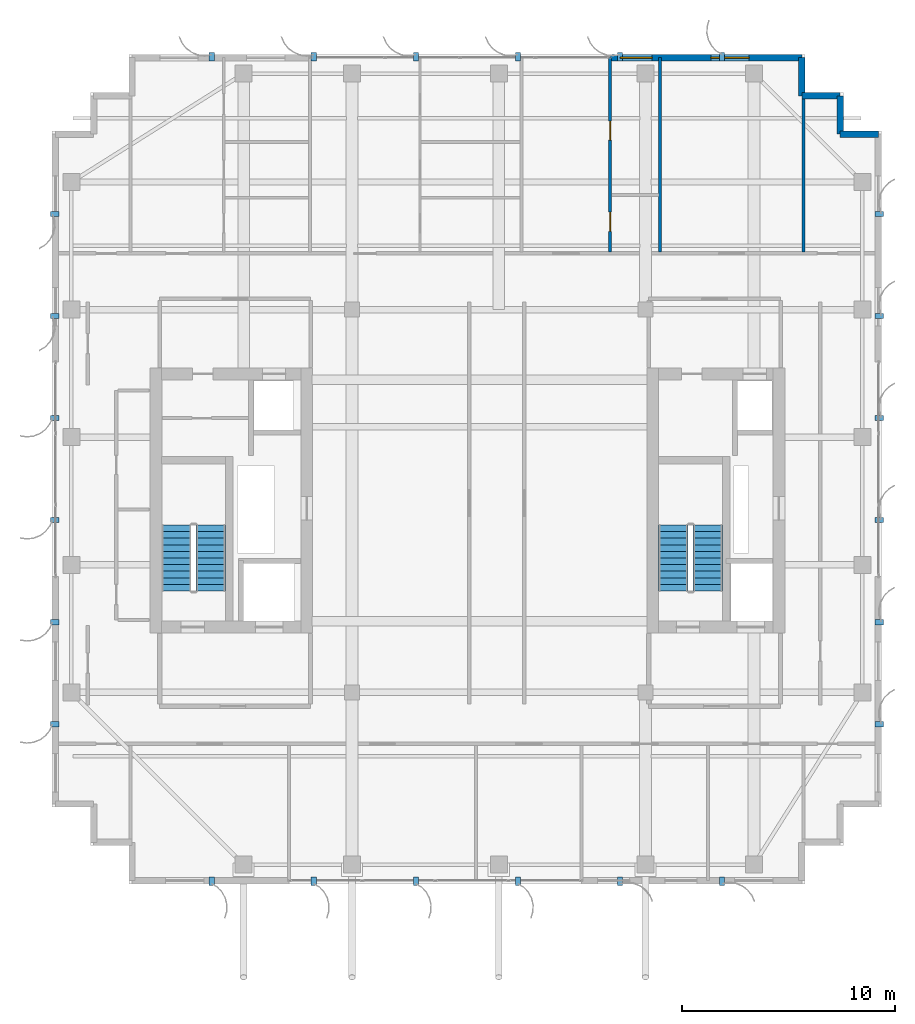
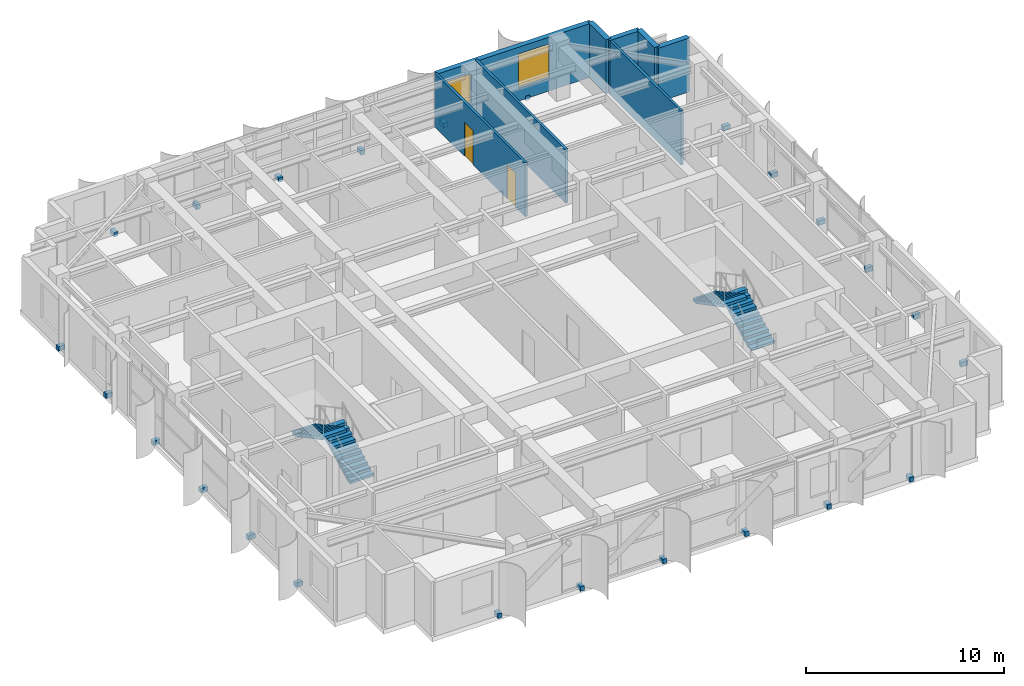
# One storey, part 20 of 22: 24 discrete accessories, 8 walls, 4 stair flights, 2 doors, 2 windows, 4 openings, 2 elements without a shape of their own.
"""IFC4 building model written with IfcOpenShell, lengths in metres."""

from ifc_helpers import new_model, si_unit, direction, frame, frame_2d, origin, origin_2d, place, context, subcontext, project, spatial, polyline, rectangle, outline, extrude, source, transform, mapped, material, layer, layer_set, type_object, element, fill, aggregate, save


model = new_model("IFC4")

# Units and contexts
model_context = context("Model", 3, precision=1e-05, world=origin(), true_north=direction((0.0, 1.0)))
body_context = subcontext(model_context, "Body", "Model", "MODEL_VIEW")
ifc_project = project(units=[si_unit("LENGTHUNIT", "METRE"), si_unit("AREAUNIT", "SQUARE_METRE"), si_unit("VOLUMEUNIT", "CUBIC_METRE"), si_unit("PLANEANGLEUNIT", "RADIAN"), si_unit("MASSUNIT", "GRAM", prefix="KILO")], contexts=[model_context])

# Site, building, storey
site_placement = place(None, origin())
site = spatial("IfcSite", under=ifc_project, at=site_placement, CompositionType="ELEMENT")
building_placement = place(site_placement, origin())
building = spatial("IfcBuilding", under=site, at=building_placement, Name="Khoralis Quay Care Tower", CompositionType="ELEMENT")
storey_placement = place(building_placement, frame((0.0, 0.0, 278.10009765625)))
storey = spatial("IfcBuildingStorey", under=building, at=storey_placement, Name="L73", CompositionType="ELEMENT", Elevation=278.10009765625)

# Walls
ifc_material_1 = material(Name="Precast concrete C45/55", Category="concrete")
ifc_layer_1 = layer(ifc_material_1, 0.300048828125)
ifc_layer_set_1 = layer_set([ifc_layer_1], Name="Precast concrete C45/55")
wall_type_1 = type_object("IfcWallType", Name="WL-EXT-REF-300", PredefinedType="SOLIDWALL", material=ifc_layer_set_1)
for number, where, z_axis, x_axis, name in (
    (1, (41.85009765625, 38.25, 0.0), (0.0, 0.0, 1.0), (-1.0, 0.0, 0.0), "L73 External Facade Wall WL-EXT-L73-P1-C6"),
    (2, (40.050048828125, 38.25, 0.0), (0.0, 0.0, 1.0), (0.0, 1.0, 0.0), "L73 External Facade Wall WL-EXT-L73-P1-C7"),
    (3, (40.050048828125, 40.050048828125, 0.0), (0.0, 0.0, 1.0), (-1.0, 0.0, 0.0), "L73 External Facade Wall WL-EXT-L73-P1-C8"),
    (4, (38.25, 40.050048828125, 0.0), (0.0, 0.0, 1.0), (0.0, 1.0, 0.0), "L73 External Facade Wall WL-EXT-L73-P1-C9"),
):
    element("IfcWall", number, at=place(storey_placement, frame(where, z_axis=z_axis, x_axis=x_axis)), inside=storey, type_object=wall_type_1, Name=name, PredefinedType="SOLIDWALL", context=body_context, shape_type="SweptSolid", body=[
        extrude(rectangle(XDim=1.800048828125, YDim=0.300048828125, at=frame_2d((0.89990234375, 0.0))), origin(), (0.0, 0.0, 1.0), 3.31982421875),
    ])

# Wall, openings, windows
wall_1_placement = place(storey_placement, frame((38.25, 41.85009765625, 0.0), z_axis=(0.0, 0.0, 1.0), x_axis=(-1.0, 0.0, 0.0)))
wall_1 = element("IfcWall", 5, at=wall_1_placement, inside=storey, type_object=wall_type_1, Name="L73 External Facade Wall WL-EXT-L73-P1-E10A", PredefinedType="SOLIDWALL", context=body_context, shape_type="SweptSolid", body=[
    extrude(rectangle(XDim=9.010009765625, YDim=0.300048828125, at=frame_2d((4.5048828125, 0.0))), origin(), (0.0, 0.0, 1.0), 3.31982421875),
])
opening_1_placement = place(wall_1_placement, frame((2.47998046875, 0.0, 0.800048828125)))
opening_1 = element("IfcOpeningElement", 6, at=opening_1_placement, cuts=wall_1, Name="Opening W2", PredefinedType="OPENING", context=body_context, shape_type="SweptSolid", body=[
    extrude(rectangle(XDim=1.800048828125, YDim=2.10009765625, at=frame_2d((0.89990234375, 1.050048828125))), frame((0.0, 0.16015625, 0.0), z_axis=(0.0, -1.0, 0.0), x_axis=(1.0, 0.0, 0.0)), (0.0, 0.0, 1.0), 0.320068359375),
])
opening_2_placement = place(wall_1_placement, frame((7.034912109375, 0.0, 0.85009765625)))
opening_2 = element("IfcOpeningElement", 7, at=opening_2_placement, cuts=wall_1, Name="Opening W3", PredefinedType="OPENING", context=body_context, shape_type="SweptSolid", body=[
    extrude(rectangle(XDim=1.5, YDim=1.800048828125, at=frame_2d((0.75, 0.89990234375))), frame((0.0, 0.16015625, 0.0), z_axis=(0.0, -1.0, 0.0), x_axis=(1.0, 0.0, 0.0)), (0.0, 0.0, 1.0), 0.320068359375),
])
ifc_material_2 = material(Name="Low-E solar-control double glazing", Category="glass")
window_type_1 = type_object("IfcWindowType", Name="WN-CLIN-1500X1800", PartitioningType="SINGLE_PANEL", PredefinedType="WINDOW", material=ifc_material_2)
shared_shape_1 = source(origin(), body_context, "Body", "SweptSolid", [
    extrude(rectangle(XDim=1.5, YDim=1.800048828125, at=frame_2d((0.75, 0.89990234375))), frame((0.0, 0.030029296875, 0.0), z_axis=(0.0, -1.0, 0.0), x_axis=(1.0, 0.0, 0.0)), (0.0, 0.0, 1.0), 0.06005859375),
])
window_1_placement = place(opening_2_placement, origin())
window_1 = element("IfcWindow", 8, at=window_1_placement, inside=storey, type_object=window_type_1, Name="WN-L73-P1-E10A Facade Window 02", OverallHeight=1.800048828125, OverallWidth=1.5, PartitioningType="SINGLE_PANEL", PredefinedType="WINDOW", context=body_context, shape_type="MappedRepresentation", body=[
    mapped(shared_shape_1, transform((0.0, 0.0, 0.0), scale=1.0)),
])
fill(opening_2, window_1)
window_type_2 = type_object("IfcWindowType", Name="WN-POD-1800X2100", PartitioningType="SINGLE_PANEL", PredefinedType="WINDOW", material=ifc_material_2)
shared_shape_2 = source(origin(), body_context, "Body", "SweptSolid", [
    extrude(rectangle(XDim=1.800048828125, YDim=2.10009765625, at=frame_2d((0.89990234375, 1.050048828125))), frame((0.0, 0.030029296875, 0.0), z_axis=(0.0, -1.0, 0.0), x_axis=(1.0, 0.0, 0.0)), (0.0, 0.0, 1.0), 0.06005859375),
])
window_2_placement = place(opening_1_placement, origin())
window_2 = element("IfcWindow", 9, at=window_2_placement, inside=storey, type_object=window_type_2, Name="WN-L73-P1-E10A Facade Window 01", OverallHeight=2.10009765625, OverallWidth=1.800048828125, PartitioningType="SINGLE_PANEL", PredefinedType="WINDOW", context=body_context, shape_type="MappedRepresentation", body=[
    mapped(shared_shape_2, transform((0.0, 0.0, 0.0), scale=1.0)),
])
fill(opening_1, window_2)

# Wall, openings, doors
ifc_material_3 = material(Name="Moisture-resistant gypsum and ceramic tile")
ifc_layer_2 = layer(ifc_material_3, 0.280029296875)
ifc_layer_set_2 = layer_set([ifc_layer_2], Name="Moisture-resistant gypsum and ceramic tile")
wall_type_2 = type_object("IfcWallType", Name="WL-PLUMB-280", PredefinedType="PLUMBINGWALL", material=ifc_layer_set_2)
wall_2_placement = place(storey_placement, frame((29.239990234375, 32.717529296875, 0.0), z_axis=(0.0, 0.0, 1.0), x_axis=(0.0, 1.0, 0.0)))
wall_2 = element("IfcWall", 10, at=wall_2_placement, inside=storey, type_object=wall_type_2, Name="L73 Care Suite 2 En-Suite Wall V", PredefinedType="PLUMBINGWALL", context=body_context, shape_type="SweptSolid", body=[
    extrude(rectangle(XDim=9.137451171875, YDim=0.139892578125, at=frame_2d((4.56884765625, 0.0))), origin(), (0.0, 0.0, 1.0), 3.31982421875),
])
opening_3_placement = place(wall_2_placement, frame((0.96240234375, 0.0, 0.0)))
opening_3 = element("IfcOpeningElement", 11, at=opening_3_placement, cuts=wall_2, Name="Opening WD1", PredefinedType="OPENING", context=body_context, shape_type="SweptSolid", body=[
    extrude(rectangle(XDim=0.89990234375, YDim=2.10009765625, at=frame_2d((0.449951171875, 1.050048828125))), frame((0.0, 0.080078125, 0.0), z_axis=(0.0, -1.0, 0.0), x_axis=(1.0, 0.0, 0.0)), (0.0, 0.0, 1.0), 0.159912109375),
])
opening_4_placement = place(wall_2_placement, frame((5.25244140625, 0.0, 0.0)))
opening_4 = element("IfcOpeningElement", 12, at=opening_4_placement, cuts=wall_2, Name="Opening WD1", PredefinedType="OPENING", context=body_context, shape_type="SweptSolid", body=[
    extrude(rectangle(XDim=0.89990234375, YDim=2.10009765625, at=frame_2d((0.449951171875, 1.050048828125))), frame((0.0, 0.080078125, 0.0), z_axis=(0.0, -1.0, 0.0), x_axis=(1.0, 0.0, 0.0)), (0.0, 0.0, 1.0), 0.159912109375),
])
ifc_material_4 = material(Name="Acoustic hardwood timber", Category="wood")
door_type = type_object("IfcDoorType", Name="DR-BATH-900X2100", OperationType="NOTDEFINED", PredefinedType="DOOR", material=ifc_material_4)
shared_shape_3 = source(origin(), body_context, "Body", "SweptSolid", [
    extrude(rectangle(XDim=0.89990234375, YDim=2.10009765625, at=frame_2d((0.449951171875, 1.050048828125))), frame((0.0, 0.02490234375, 0.0), z_axis=(0.0, -1.0, 0.0), x_axis=(1.0, 0.0, 0.0)), (0.0, 0.0, 1.0), 0.050048828125),
])
door_1_placement = place(opening_3_placement, frame((0.89990234375, 0.0, 0.0), z_axis=(0.0, 0.0, 1.0), x_axis=(-1.0, 0.0, 0.0)))
door_1 = element("IfcDoor", 13, at=door_1_placement, inside=storey, type_object=door_type, Name="L73 Care CENS Door", OperationType="SINGLE_SWING_RIGHT", OverallHeight=2.10009765625, OverallWidth=0.89990234375, PredefinedType="DOOR", context=body_context, shape_type="MappedRepresentation", body=[
    mapped(shared_shape_3, transform((0.0, 0.0, 0.0), scale=1.0)),
])
fill(opening_3, door_1)
door_2_placement = place(opening_4_placement, frame((0.89990234375, 0.0, 0.0), z_axis=(0.0, 0.0, 1.0), x_axis=(-1.0, 0.0, 0.0)))
door_2 = element("IfcDoor", 14, at=door_2_placement, inside=storey, type_object=door_type, Name="L73 Care CSIT Door", OperationType="SINGLE_SWING_LEFT", OverallHeight=2.10009765625, OverallWidth=0.89990234375, PredefinedType="DOOR", context=body_context, shape_type="MappedRepresentation", body=[
    mapped(shared_shape_3, transform((0.0, 0.0, 0.0), scale=1.0)),
])
fill(opening_4, door_2)

# Walls
ifc_material_5 = material(Name="Gypsum plasterboard on acoustic metal stud")
ifc_layer_3 = layer(ifc_material_5, 0.139892578125)
ifc_layer_set_3 = layer_set([ifc_layer_3], Name="Gypsum plasterboard on acoustic metal stud")
wall_type_3 = type_object("IfcWallType", Name="WL-UNIT-140", PredefinedType="PARTITIONING", material=ifc_layer_set_3)
wall_3_placement = place(storey_placement, frame((31.590087890625, 32.717529296875, 0.0), z_axis=(0.0, 0.0, 1.0), x_axis=(0.0, 1.0, 0.0)))
element("IfcWall", 15, at=wall_3_placement, inside=storey, type_object=wall_type_3, Name="L73 NB Demising Wall 3", PredefinedType="PARTITIONING", context=body_context, shape_type="SweptSolid", body=[
    extrude(rectangle(XDim=9.137451171875, YDim=0.139892578125, at=frame_2d((4.56884765625, 0.0))), origin(), (0.0, 0.0, 1.0), 3.31982421875),
])
wall_4_placement = place(storey_placement, frame((38.320068359375, 32.717529296875, 0.0), z_axis=(0.0, 0.0, 1.0), x_axis=(0.0, 1.0, 0.0)))
element("IfcWall", 16, at=wall_4_placement, inside=storey, type_object=wall_type_3, Name="L73 NB Demising Wall 4", PredefinedType="PARTITIONING", context=body_context, shape_type="SweptSolid", body=[
    extrude(rectangle(XDim=7.33740234375, YDim=0.139892578125, at=frame_2d((3.668701171875, 0.0))), origin(), (0.0, 0.0, 1.0), 3.31982421875),
])

# Stair, stair flights
stair_type = type_object("IfcStairType", Name="ST-TWR-DOGLEG-1400", PredefinedType="HALF_TURN_STAIR", material=ifc_material_1)
stair_1_placement = place(storey_placement, origin())
stair_1 = element("IfcStair", 17, at=stair_1_placement, inside=storey, type_object=stair_type, Name="L73 West Core Exit Stair ST-T1", PredefinedType="HALF_TURN_STAIR")
stair_flight_type = type_object("IfcStairFlightType", Name="SF-TWR-1400", PredefinedType="STRAIGHT", material=ifc_material_1)
shared_shape_4 = source(origin(), body_context, "Body", "SweptSolid", [
    extrude(outline(polyline([(0.0, 0.0), (0.0, 0.16357421875), (0.31005859375, 0.16357421875), (0.31005859375, 0.327392578125), (0.6201171875, 0.327392578125), (0.6201171875, 0.490966796875), (0.929931640625, 0.490966796875), (0.929931640625, 0.654541015625), (1.239990234375, 0.654541015625), (1.239990234375, 0.818115234375), (1.550048828125, 0.818115234375), (1.550048828125, 0.98193359375), (1.860107421875, 0.98193359375), (1.860107421875, 1.1455078125), (2.169921875, 1.1455078125), (2.169921875, 1.30908203125), (2.47998046875, 1.30908203125), (2.47998046875, 1.47265625), (2.7900390625, 1.47265625), (2.7900390625, 1.636474609375), (3.10009765625, 1.636474609375), (3.10009765625, 1.800048828125), (3.10009765625, 1.466796875), (0.321044921875, 0.0), (0.0, 0.0)])), frame((0.0, 0.68994140625, 0.0), z_axis=(0.0, -1.0, 0.0), x_axis=(1.0, 0.0, 0.0)), (0.0, 0.0, 1.0), 1.3798828125),
])
stair_flight_1_placement = place(storey_placement, frame((10.4599609375, 16.77001953125, 0.0), z_axis=(0.0, 0.0, 1.0), x_axis=(0.0, 1.0, 0.0)))
stair_flight_1 = element("IfcStairFlight", 18, at=stair_flight_1_placement, type_object=stair_flight_type, Name="ST-T1 flight 1", NumberOfRisers=11, NumberOfTreads=10, PredefinedType="STRAIGHT", RiserHeight=0.163636364, TreadLength=0.31, context=body_context, shape_type="MappedRepresentation", body=[
    mapped(shared_shape_4, transform((0.0, 0.0, 0.0), scale=1.0)),
])
stair_flight_2_placement = place(storey_placement, frame((8.840087890625, 19.8701171875, 1.7998046875), z_axis=(0.0, 0.0, 1.0), x_axis=(0.0, -1.0, 0.0)))
stair_flight_2 = element("IfcStairFlight", 19, at=stair_flight_2_placement, type_object=stair_flight_type, Name="ST-T1 flight 2", NumberOfRisers=11, NumberOfTreads=10, PredefinedType="STRAIGHT", RiserHeight=0.163636364, TreadLength=0.31, context=body_context, shape_type="MappedRepresentation", body=[
    mapped(shared_shape_4, transform((0.0, 0.0, 0.0), scale=1.0)),
])
aggregate(stair_1, [stair_flight_1, stair_flight_2])

stair_2_placement = place(storey_placement, origin())
stair_2 = element("IfcStair", 20, at=stair_2_placement, inside=storey, type_object=stair_type, Name="L73 East Core Exit Stair ST-T2", PredefinedType="HALF_TURN_STAIR")
stair_flight_3_placement = place(storey_placement, frame((33.830078125, 16.77001953125, 0.0), z_axis=(0.0, 0.0, 1.0), x_axis=(0.0, 1.0, 0.0)))
stair_flight_3 = element("IfcStairFlight", 21, at=stair_flight_3_placement, type_object=stair_flight_type, Name="ST-T2 flight 1", NumberOfRisers=11, NumberOfTreads=10, PredefinedType="STRAIGHT", RiserHeight=0.163636364, TreadLength=0.31, context=body_context, shape_type="MappedRepresentation", body=[
    mapped(shared_shape_4, transform((0.0, 0.0, 0.0), scale=1.0)),
])
stair_flight_4_placement = place(storey_placement, frame((32.2099609375, 19.8701171875, 1.7998046875), z_axis=(0.0, 0.0, 1.0), x_axis=(0.0, -1.0, 0.0)))
stair_flight_4 = element("IfcStairFlight", 22, at=stair_flight_4_placement, type_object=stair_flight_type, Name="ST-T2 flight 2", NumberOfRisers=11, NumberOfTreads=10, PredefinedType="STRAIGHT", RiserHeight=0.163636364, TreadLength=0.31, context=body_context, shape_type="MappedRepresentation", body=[
    mapped(shared_shape_4, transform((0.0, 0.0, 0.0), scale=1.0)),
])
aggregate(stair_2, [stair_flight_3, stair_flight_4])

# Discrete accessories
ifc_material_6 = material(Name="Brushed stainless steel", Category="steel")
discrete_accessory_type = type_object("IfcDiscreteAccessoryType", Name="ACC-FIN-BRACKET", PredefinedType="BRACKET", material=ifc_material_6)
shared_shape_5 = source(origin(), body_context, "Body", "SweptSolid", [
    extrude(rectangle(XDim=0.39990234375, YDim=0.239990234375, at=origin_2d()), origin(), (0.0, 0.0, 1.0), 0.280029296875),
])
for number, where, z_axis, x_axis, name in (
    (23, (10.5, 3.110107421875, -0.1201171875), (0.0, 0.0, 1.0), (0.0, -1.0, 0.0), "L73 Solar Fin Bracket P1E0-01"),
    (24, (15.300048828125, 3.110107421875, -0.1201171875), (0.0, 0.0, 1.0), (0.0, -1.0, 0.0), "L73 Solar Fin Bracket P1E0-02"),
    (25, (20.10009765625, 3.110107421875, -0.1201171875), (0.0, 0.0, 1.0), (0.0, -1.0, 0.0), "L73 Solar Fin Bracket P1E0-03"),
    (26, (24.89990234375, 3.110107421875, -0.1201171875), (0.0, 0.0, 1.0), (0.0, -1.0, 0.0), "L73 Solar Fin Bracket P1E0-04"),
    (27, (29.699951171875, 3.110107421875, -0.1201171875), (0.0, 0.0, 1.0), (0.0, -1.0, 0.0), "L73 Solar Fin Bracket P1E0-05"),
    (28, (34.5, 3.110107421875, -0.1201171875), (0.0, 0.0, 1.0), (0.0, -1.0, 0.0), "L73 Solar Fin Bracket P1E0-06"),
    (29, (41.889892578125, 10.5, -0.1201171875), (0.0, 0.0, 1.0), (1.0, 0.0, 0.0), "L73 Solar Fin Bracket P1E5-01"),
    (30, (41.889892578125, 15.300048828125, -0.1201171875), (0.0, 0.0, 1.0), (1.0, 0.0, 0.0), "L73 Solar Fin Bracket P1E5-02"),
    (31, (41.889892578125, 20.10009765625, -0.1201171875), (0.0, 0.0, 1.0), (1.0, 0.0, 0.0), "L73 Solar Fin Bracket P1E5-03"),
    (32, (41.889892578125, 24.89990234375, -0.1201171875), (0.0, 0.0, 1.0), (1.0, 0.0, 0.0), "L73 Solar Fin Bracket P1E5-04"),
    (33, (41.889892578125, 29.699951171875, -0.1201171875), (0.0, 0.0, 1.0), (1.0, 0.0, 0.0), "L73 Solar Fin Bracket P1E5-05"),
    (34, (41.889892578125, 34.5, -0.1201171875), (0.0, 0.0, 1.0), (1.0, 0.0, 0.0), "L73 Solar Fin Bracket P1E5-06"),
    (35, (34.5, 41.889892578125, -0.1201171875), (0.0, 0.0, 1.0), (0.0, 1.0, 0.0), "L73 Solar Fin Bracket P1E10-01"),
    (36, (29.699951171875, 41.889892578125, -0.1201171875), (0.0, 0.0, 1.0), (0.0, 1.0, 0.0), "L73 Solar Fin Bracket P1E10-02"),
    (37, (24.89990234375, 41.889892578125, -0.1201171875), (0.0, 0.0, 1.0), (0.0, 1.0, 0.0), "L73 Solar Fin Bracket P1E10-03"),
    (38, (20.10009765625, 41.889892578125, -0.1201171875), (0.0, 0.0, 1.0), (0.0, 1.0, 0.0), "L73 Solar Fin Bracket P1E10-04"),
    (39, (15.300048828125, 41.889892578125, -0.1201171875), (0.0, 0.0, 1.0), (0.0, 1.0, 0.0), "L73 Solar Fin Bracket P1E10-05"),
    (40, (10.5, 41.889892578125, -0.1201171875), (0.0, 0.0, 1.0), (0.0, 1.0, 0.0), "L73 Solar Fin Bracket P1E10-06"),
    (41, (3.110107421875, 34.5, -0.1201171875), (0.0, 0.0, 1.0), (-1.0, 0.0, 0.0), "L73 Solar Fin Bracket P1E15-01"),
    (42, (3.110107421875, 29.699951171875, -0.1201171875), (0.0, 0.0, 1.0), (-1.0, 0.0, 0.0), "L73 Solar Fin Bracket P1E15-02"),
    (43, (3.110107421875, 24.89990234375, -0.1201171875), (0.0, 0.0, 1.0), (-1.0, 0.0, 0.0), "L73 Solar Fin Bracket P1E15-03"),
    (44, (3.110107421875, 20.10009765625, -0.1201171875), (0.0, 0.0, 1.0), (-1.0, 0.0, 0.0), "L73 Solar Fin Bracket P1E15-04"),
    (45, (3.110107421875, 15.300048828125, -0.1201171875), (0.0, 0.0, 1.0), (-1.0, 0.0, 0.0), "L73 Solar Fin Bracket P1E15-05"),
    (46, (3.110107421875, 10.5, -0.1201171875), (0.0, 0.0, 1.0), (-1.0, 0.0, 0.0), "L73 Solar Fin Bracket P1E15-06"),
):
    element("IfcDiscreteAccessory", number, at=place(storey_placement, frame(where, z_axis=z_axis, x_axis=x_axis)), inside=storey, type_object=discrete_accessory_type, Name=name, PredefinedType="BRACKET", context=body_context, shape_type="MappedRepresentation", body=[
        mapped(shared_shape_5, transform((0.0, 0.0, 0.0), scale=1.0)),
    ])

save(model, "model.ifc")
